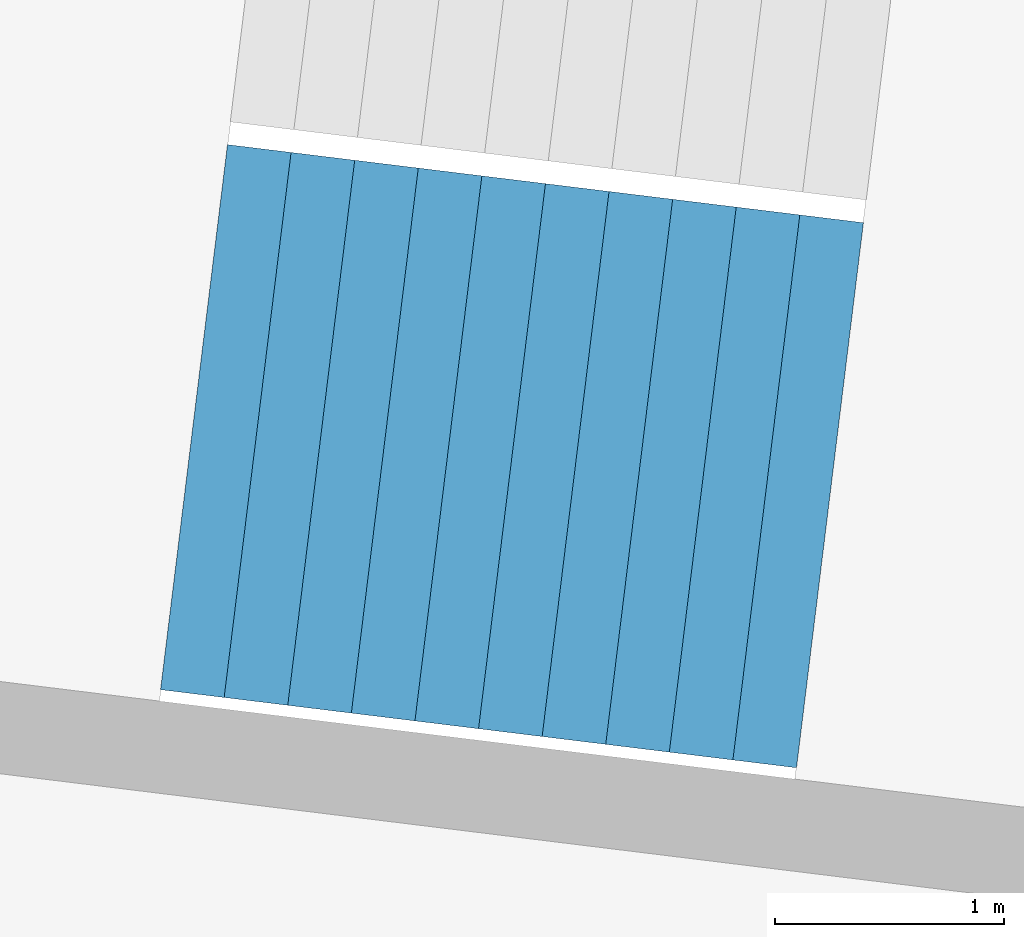
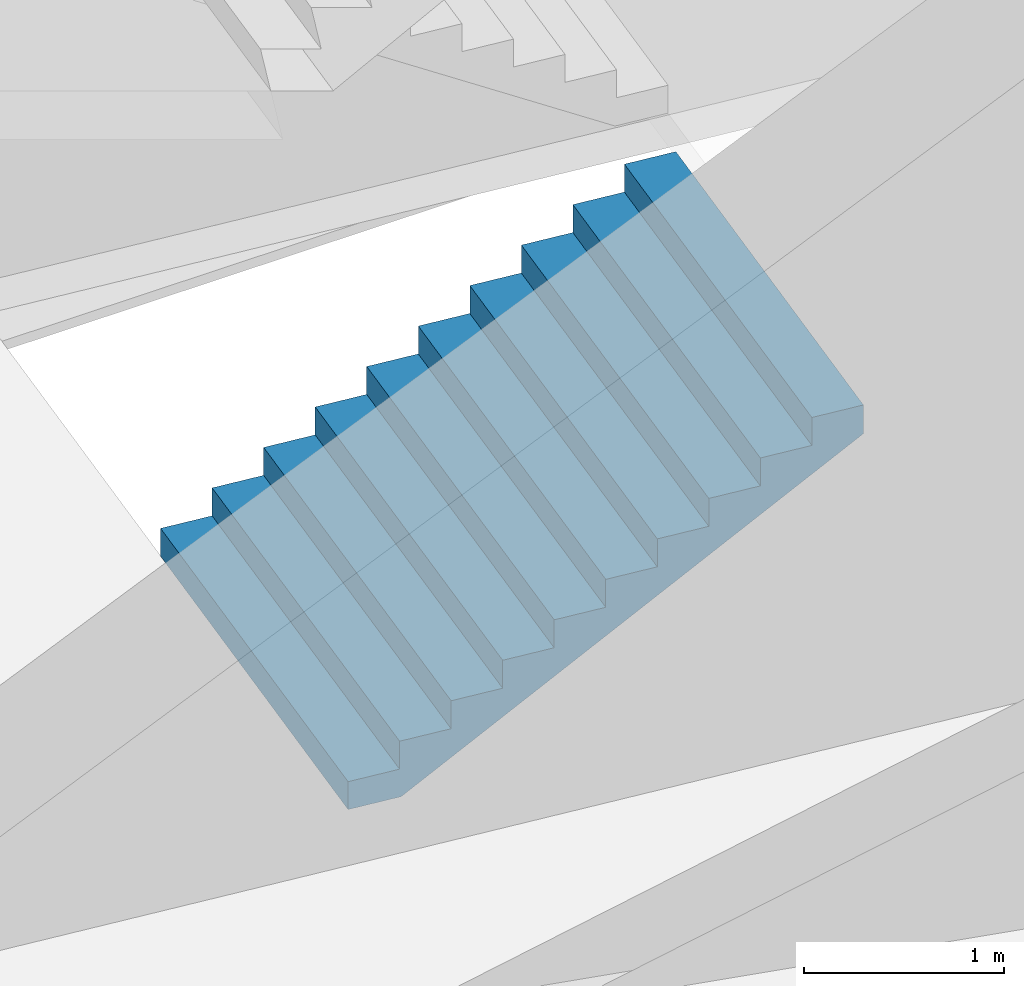
# One storey, part 53 of 73: 1 stair flight, 1 element without a shape of its own.
"""IFC4 building model written with IfcOpenShell, lengths in metres."""

import ifcopenshell
import ifcopenshell.guid

model = None  # the IFC model being written
_history = None  # IfcOwnerHistory: only IFC2X3 demands one
_inside = {}  # id of a spatial element -> (the spatial element, [elements in it])
_under = {}  # id of a project, library or spatial element -> (it, [spatial elements below it])
_declared = {}  # id of a project -> (the project, [libraries it declares])
_typed = {}  # id of a type object -> (the type object, [elements of that type])
_made_of = {}  # id of a material, layer set ... -> (it, [elements and type objects made of it])


def new_model(schema):
    """Start an empty IFC model of exactly this schema.

    Asked for "IFC4X3", IfcOpenShell would pick the latest addendum, in which some entities
    have other attributes; the version numbers below select the first issue.
    IFC2X3 requires an IfcOwnerHistory on every rooted entity: one is made here for all.
    """
    global model, _history
    if schema == "IFC4X3":
        model = ifcopenshell.file(schema_version=(4, 3, 0, 0))
    else:
        model = ifcopenshell.file(schema=schema)
    _inside.clear()
    _under.clear()
    _declared.clear()
    _typed.clear()
    _made_of.clear()
    _history = None
    if model.schema == "IFC2X3":
        org = make("IfcOrganization", Name="unknown")
        user = make(
            "IfcPersonAndOrganization",
            ThePerson=make("IfcPerson", FamilyName="unknown"),
            TheOrganization=org,
        )
        app = make(
            "IfcApplication",
            ApplicationDeveloper=org,
            Version="unknown",
            ApplicationFullName="unknown",
            ApplicationIdentifier="unknown",
        )
        _history = make(
            "IfcOwnerHistory",
            OwningUser=user,
            OwningApplication=app,
            ChangeAction="ADDED",
            CreationDate=0,
        )
    return model


def make(cls, **values):
    """One entity of the class cls with the attributes given. An attribute that is None is left unset."""
    return model.create_entity(
        cls, **{name: value for name, value in values.items() if value is not None}
    )


def rooted(cls, **values):
    """An entity with a GlobalId (a new one), such as an element, a storey or a relation."""
    return make(cls, GlobalId=ifcopenshell.guid.new(), OwnerHistory=_history, **values)


def si_unit(unit_type, name, prefix=None):
    """IfcSIUnit, for example si_unit("LENGTHUNIT", "METRE", prefix="MILLI")."""
    return make("IfcSIUnit", UnitType=unit_type, Prefix=prefix, Name=name)


def assignment(units):
    """IfcUnitAssignment: the units of a project."""
    return None if units is None else make("IfcUnitAssignment", Units=units)


def point(xyz):
    """IfcCartesianPoint."""
    return None if xyz is None else make("IfcCartesianPoint", Coordinates=xyz)


def direction(xyz):
    """IfcDirection."""
    return None if xyz is None else make("IfcDirection", DirectionRatios=xyz)


def frame(location, z_axis=None, x_axis=None):
    """IfcAxis2Placement3D, a coordinate frame: its origin and axes. An axis left out is left unset."""
    return make(
        "IfcAxis2Placement3D",
        Location=point(location),
        Axis=direction(z_axis),
        RefDirection=direction(x_axis),
    )


def origin():
    """The frame at (0, 0, 0) with its axes left unset."""
    return frame((0.0, 0.0, 0.0))


def place(relative_to, where):
    """IfcLocalPlacement: puts the frame where relative to a parent placement (None: the world)."""
    return make(
        "IfcLocalPlacement", PlacementRelTo=relative_to, RelativePlacement=where
    )


def context(
    kind, dimensions, precision=None, world=None, true_north=None, identifier=None
):
    """IfcGeometricRepresentationContext, for example the 3D "Model" context."""
    return make(
        "IfcGeometricRepresentationContext",
        ContextIdentifier=identifier,
        ContextType=kind,
        CoordinateSpaceDimension=dimensions,
        Precision=precision,
        WorldCoordinateSystem=world,
        TrueNorth=true_north,
    )


def subcontext(parent, identifier, kind, view, scale=None):
    """IfcGeometricRepresentationSubContext, for example "Body" below "Model"."""
    return make(
        "IfcGeometricRepresentationSubContext",
        ContextIdentifier=identifier,
        ContextType=kind,
        ParentContext=parent,
        TargetScale=scale,
        TargetView=view,
    )


def project(units=None, contexts=None):
    """IfcProject with its units and contexts."""
    return rooted(
        "IfcProject",
        Name="project",
        RepresentationContexts=contexts,
        UnitsInContext=assignment(units),
    )


def spatial(cls, under=None, at=None, **own):
    """A site, building, storey or space (cls), placed at a placement, below another one or the project."""
    s = rooted(cls, ObjectPlacement=at, **own)
    if under is not None:
        _under.setdefault(under.id(), (under, []))[1].append(s)
    return s


def point_list(points):
    """IfcCartesianPointList2D or 3D."""
    cls = (
        "IfcCartesianPointList2D" if len(points[0]) == 2 else "IfcCartesianPointList3D"
    )
    return make(cls, CoordList=points)


def triangles(points, corners, closed=None, point_numbers=None):
    """IfcTriangulatedFaceSet: each triangle names its three corners, points numbered from 1."""
    return make(
        "IfcTriangulatedFaceSet",
        Coordinates=point_list(points),
        Closed=closed,
        CoordIndex=corners,
        PnIndex=point_numbers,
    )


def shape(context_of_items, identifier, shape_type, items):
    """IfcShapeRepresentation: the items that make up one representation, for example the "Body"."""
    return make(
        "IfcShapeRepresentation",
        ContextOfItems=context_of_items,
        RepresentationIdentifier=identifier,
        RepresentationType=shape_type,
        Items=items,
    )


def material(Name=None, Category=None):
    """IfcMaterial."""
    return make("IfcMaterial", Name=Name, Category=Category)


def made_of(thing, what):
    """Note that an element or type object is made of a material, layer set ...; save() writes the relation."""
    if what is not None:
        _made_of.setdefault(what.id(), (what, []))[1].append(thing)
    return thing


def type_object(cls, material=None, **own):
    """A type object (cls), such as IfcWallType, which elements share."""
    return made_of(rooted(cls, **own), material)


def element(
    cls,
    number,
    at=None,
    inside=None,
    cuts=None,
    type_object=None,
    material=None,
    context=None,
    identifier="Body",
    shape_type=None,
    held_by="IfcProductDefinitionShape",
    body=None,
    shapes=None,
    **own,
):
    """One element of the class cls, such as IfcWall. Its Tag is "e" and its number.

    at: its placement. inside: the storey or other place that contains it. cuts: it is an
    opening in that element (IfcRelVoidsElement). A single representation is given by context,
    identifier, shape_type and body (its items); several are given by shapes. held_by: the class
    of the entity that holds the representations. save() writes the other relations.
    """
    e = rooted(cls, Tag="e%d" % number, ObjectPlacement=at, **own)
    if body is not None:
        shapes = [shape(context, identifier, shape_type, body)]
    if shapes is not None:
        e.Representation = make(held_by, Representations=shapes)
    if inside is not None:
        _inside.setdefault(inside.id(), (inside, []))[1].append(e)
    if cuts is not None:
        rooted(
            "IfcRelVoidsElement", RelatingBuildingElement=cuts, RelatedOpeningElement=e
        )
    if type_object is not None:
        _typed.setdefault(type_object.id(), (type_object, []))[1].append(e)
    return made_of(e, material)


def aggregate(whole, parts):
    """IfcRelAggregates: a whole, such as a stair, and the parts it consists of."""
    return rooted("IfcRelAggregates", RelatingObject=whole, RelatedObjects=parts)


def save(model, path):
    """Write the relations noted so far, then the file.

    IfcRelAggregates (storeys below a building ...), IfcRelContainedInSpatialStructure (elements
    in a storey), IfcRelDefinesByType, IfcRelAssociatesMaterial and IfcRelDeclares: one each for
    every whole, place, type object, material and project.
    """
    for whole, parts in _under.values():
        aggregate(whole, parts)
    for where, things in _inside.values():
        rooted(
            "IfcRelContainedInSpatialStructure",
            RelatedElements=things,
            RelatingStructure=where,
        )
    for kind, things in _typed.values():
        rooted("IfcRelDefinesByType", RelatedObjects=things, RelatingType=kind)
    for what, things in _made_of.values():
        rooted("IfcRelAssociatesMaterial", RelatedObjects=things, RelatingMaterial=what)
    for by, libraries in _declared.values():
        rooted("IfcRelDeclares", RelatingContext=by, RelatedDefinitions=libraries)
    model.write(path)


model = new_model("IFC4")

# Units and contexts
model_context = context("Model", 3, precision=1e-05, world=origin(), true_north=direction((0.0, 1.0)))
body_context = subcontext(model_context, "Body", "Model", "MODEL_VIEW")
ifc_project = project(units=[si_unit("LENGTHUNIT", "METRE"), si_unit("AREAUNIT", "SQUARE_METRE"), si_unit("VOLUMEUNIT", "CUBIC_METRE"), si_unit("PLANEANGLEUNIT", "RADIAN"), si_unit("MASSUNIT", "GRAM", prefix="KILO")], contexts=[model_context])

# Site, building, storey
site_placement = place(None, origin())
site = spatial("IfcSite", under=ifc_project, at=site_placement, CompositionType="ELEMENT")
building_placement = place(site_placement, origin())
building = spatial("IfcBuilding", under=site, at=building_placement, Name="Lantaw Convention Tower", CompositionType="ELEMENT")
storey_placement = place(building_placement, frame((0.0, 0.0, 14.5)))
storey = spatial("IfcBuildingStorey", under=building, at=storey_placement, Name="L02", CompositionType="ELEMENT", Elevation=14.5)

# Stair, stair flight
ifc_material = material(Name="Concrete C35/45", Category="concrete")
stair_type = type_object("IfcStairType", Name="Exit stair 2400 riser 170.45 in 4 flights", PredefinedType="HALF_TURN_STAIR", material=ifc_material)
stair_placement = place(storey_placement, origin())
stair = element("IfcStair", 1, at=stair_placement, inside=storey, type_object=stair_type, Name="Podium exit stair P13 L02", PredefinedType="HALF_TURN_STAIR")
stair_flight_type = type_object("IfcStairFlightType", Name="Stair flight 2400 riser 170.45", PredefinedType="STRAIGHT", material=ifc_material)
stair_flight_placement = place(storey_placement, frame((34.857421875, -5.539306640625, 0.0), z_axis=(0.0, 0.0, 1.0), x_axis=(0.992546151641, -0.121869343405, 0.0)))
stair_flight = element("IfcStairFlight", 2, at=stair_flight_placement, type_object=stair_flight_type, Name="P13 flight 1", NumberOfRisers=11, NumberOfTreads=10, PredefinedType="STRAIGHT", RiserHeight=0.170454545, TreadLength=0.28, context=body_context, shape_type="Tessellation", body=[
    triangles([(0.0, 1.199951171875, 0.0), (0.0, 1.199951171875, 0.170454545), (0.28, 1.199951171875, 0.0), (0.28, 1.199951171875, 0.170454545), (0.28, 1.199951171875, 0.34090909), (0.28827876332691904, 1.199951171875, 0.0), (0.28827876332691904, 1.199951171875, 0.34090909), (0.56, 1.199951171875, 0.16541471344266906), (0.56, 1.199951171875, 0.34090909), (0.56, 1.199951171875, 0.511363635), (0.8400000000000001, 1.199951171875, 0.335869258442669), (0.8400000000000001, 1.199951171875, 0.511363635), (0.8400000000000001, 1.199951171875, 0.68181818), (1.12, 1.199951171875, 0.506323803442669), (1.12, 1.199951171875, 0.68181818), (1.12, 1.199951171875, 0.8522727250000001), (1.4000000000000001, 1.199951171875, 0.676778348442669), (1.4000000000000001, 1.199951171875, 0.8522727250000001), (1.4000000000000001, 1.199951171875, 1.02272727), (1.6800000000000002, 1.199951171875, 0.847232893442669), (1.6800000000000002, 1.199951171875, 1.02272727), (1.6800000000000002, 1.199951171875, 1.193181815), (1.9600000000000002, 1.199951171875, 1.017687438442669), (1.9600000000000002, 1.199951171875, 1.193181815), (1.9600000000000002, 1.199951171875, 1.36363636), (2.24, 1.199951171875, 1.188141983442669), (2.24, 1.199951171875, 1.36363636), (2.24, 1.199951171875, 1.5340909050000002), (2.5200000000000005, 1.199951171875, 1.358596528442669), (2.5200000000000005, 1.199951171875, 1.5340909050000002), (2.5200000000000005, 1.199951171875, 1.7045454500000001), (2.8000000000000003, 1.199951171875, 1.529051073442669), (2.8000000000000003, 1.199951171875, 1.7045454500000001), (0.0, -1.199951171875, 0.0), (0.0, -1.199951171875, 0.170454545), (0.28, -1.199951171875, 0.0), (0.28, -1.199951171875, 0.170454545), (0.28, -1.199951171875, 0.34090909), (0.28827876332691904, -1.199951171875, 0.0), (0.28827876332691904, -1.199951171875, 0.34090909), (0.56, -1.199951171875, 0.16541471344266906), (0.56, -1.199951171875, 0.34090909), (0.56, -1.199951171875, 0.511363635), (0.8400000000000001, -1.199951171875, 0.335869258442669), (0.8400000000000001, -1.199951171875, 0.511363635), (0.8400000000000001, -1.199951171875, 0.68181818), (1.12, -1.199951171875, 0.506323803442669), (1.12, -1.199951171875, 0.68181818), (1.12, -1.199951171875, 0.8522727250000001), (1.4000000000000001, -1.199951171875, 0.676778348442669), (1.4000000000000001, -1.199951171875, 0.8522727250000001), (1.4000000000000001, -1.199951171875, 1.02272727), (1.6800000000000002, -1.199951171875, 0.847232893442669), (1.6800000000000002, -1.199951171875, 1.02272727), (1.6800000000000002, -1.199951171875, 1.193181815), (1.9600000000000002, -1.199951171875, 1.017687438442669), (1.9600000000000002, -1.199951171875, 1.193181815), (1.9600000000000002, -1.199951171875, 1.36363636), (2.24, -1.199951171875, 1.188141983442669), (2.24, -1.199951171875, 1.36363636), (2.24, -1.199951171875, 1.5340909050000002), (2.5200000000000005, -1.199951171875, 1.358596528442669), (2.5200000000000005, -1.199951171875, 1.5340909050000002), (2.5200000000000005, -1.199951171875, 1.7045454500000001), (2.8000000000000003, -1.199951171875, 1.529051073442669), (2.8000000000000003, -1.199951171875, 1.7045454500000001), (0.0, 0.239990234375, 0.170454545), (0.0, 0.239990234375, 0.0), (0.0, 0.1199951171875, 0.170454545), (0.0, 0.1199951171875, 0.0), (0.0, 0.0, 0.170454545), (0.0, 0.0, 0.0), (0.0, -0.1199951171875, 0.170454545), (0.0, -0.1199951171875, 0.0), (0.0, -0.239990234375, 0.170454545), (0.0, -0.239990234375, 0.0), (0.28, 0.239990234375, 0.34090909), (0.28, 0.239990234375, 0.170454545), (0.28, 0.1199951171875, 0.34090909), (0.28, 0.1199951171875, 0.170454545), (0.28, 0.0, 0.34090909), (0.28, 0.0, 0.170454545), (0.28, -0.1199951171875, 0.34090909), (0.28, -0.1199951171875, 0.170454545), (0.28, -0.239990234375, 0.34090909), (0.28, -0.239990234375, 0.170454545), (0.56, 0.239990234375, 0.511363635), (0.56, 0.239990234375, 0.34090909), (0.56, 0.1199951171875, 0.511363635), (0.56, 0.1199951171875, 0.34090909), (0.56, 0.0, 0.511363635), (0.56, 0.0, 0.34090909), (0.56, -0.1199951171875, 0.511363635), (0.56, -0.1199951171875, 0.34090909), (0.56, -0.239990234375, 0.511363635), (0.56, -0.239990234375, 0.34090909), (0.8400000000000001, 0.239990234375, 0.68181818), (0.8400000000000001, 0.239990234375, 0.511363635), (0.8400000000000001, 0.1199951171875, 0.68181818), (0.8400000000000001, 0.1199951171875, 0.511363635), (0.8400000000000001, 0.0, 0.68181818), (0.8400000000000001, 0.0, 0.511363635), (0.8400000000000001, -0.1199951171875, 0.68181818), (0.8400000000000001, -0.1199951171875, 0.511363635), (0.8400000000000001, -0.239990234375, 0.68181818), (0.8400000000000001, -0.239990234375, 0.511363635), (1.12, 0.239990234375, 0.8522727250000001), (1.12, 0.239990234375, 0.68181818), (1.12, 0.1199951171875, 0.8522727250000001), (1.12, 0.1199951171875, 0.68181818), (1.12, 0.0, 0.8522727250000001), (1.12, 0.0, 0.68181818), (1.12, -0.1199951171875, 0.8522727250000001), (1.12, -0.1199951171875, 0.68181818), (1.12, -0.239990234375, 0.8522727250000001), (1.12, -0.239990234375, 0.68181818), (1.4000000000000001, 0.239990234375, 1.02272727), (1.4000000000000001, 0.239990234375, 0.8522727250000001), (1.4000000000000001, 0.1199951171875, 1.02272727), (1.4000000000000001, 0.1199951171875, 0.8522727250000001), (1.4000000000000001, 0.0, 1.02272727), (1.4000000000000001, 0.0, 0.8522727250000001), (1.4000000000000001, -0.1199951171875, 1.02272727), (1.4000000000000001, -0.1199951171875, 0.8522727250000001), (1.4000000000000001, -0.239990234375, 1.02272727), (1.4000000000000001, -0.239990234375, 0.8522727250000001), (1.6800000000000002, 0.239990234375, 1.193181815), (1.6800000000000002, 0.239990234375, 1.02272727), (1.6800000000000002, 0.1199951171875, 1.193181815), (1.6800000000000002, 0.1199951171875, 1.02272727), (1.6800000000000002, 0.0, 1.193181815), (1.6800000000000002, 0.0, 1.02272727), (1.6800000000000002, -0.1199951171875, 1.193181815), (1.6800000000000002, -0.1199951171875, 1.02272727), (1.6800000000000002, -0.239990234375, 1.193181815), (1.6800000000000002, -0.239990234375, 1.02272727), (1.9600000000000002, 0.239990234375, 1.36363636), (1.9600000000000002, 0.239990234375, 1.193181815), (1.9600000000000002, 0.1199951171875, 1.36363636), (1.9600000000000002, 0.1199951171875, 1.193181815), (1.9600000000000002, 0.0, 1.36363636), (1.9600000000000002, 0.0, 1.193181815), (1.9600000000000002, -0.1199951171875, 1.36363636), (1.9600000000000002, -0.1199951171875, 1.193181815), (1.9600000000000002, -0.239990234375, 1.36363636), (1.9600000000000002, -0.239990234375, 1.193181815), (2.24, 0.239990234375, 1.5340909050000002), (2.24, 0.239990234375, 1.36363636), (2.24, 0.1199951171875, 1.5340909050000002), (2.24, 0.1199951171875, 1.36363636), (2.24, 0.0, 1.5340909050000002), (2.24, 0.0, 1.36363636), (2.24, -0.1199951171875, 1.5340909050000002), (2.24, -0.1199951171875, 1.36363636), (2.24, -0.239990234375, 1.5340909050000002), (2.24, -0.239990234375, 1.36363636), (2.5200000000000005, 0.239990234375, 1.7045454500000001), (2.5200000000000005, 0.239990234375, 1.5340909050000002), (2.5200000000000005, 0.1199951171875, 1.7045454500000001), (2.5200000000000005, 0.1199951171875, 1.5340909050000002), (2.5200000000000005, 0.0, 1.7045454500000001), (2.5200000000000005, 0.0, 1.5340909050000002), (2.5200000000000005, -0.1199951171875, 1.7045454500000001), (2.5200000000000005, -0.1199951171875, 1.5340909050000002), (2.5200000000000005, -0.239990234375, 1.7045454500000001), (2.5200000000000005, -0.239990234375, 1.5340909050000002), (0.28827876332691904, 0.239990234375, 0.34090909), (0.28827876332691904, 0.1199951171875, 0.34090909), (0.28827876332691904, 0.0, 0.34090909), (0.28827876332691904, -0.1199951171875, 0.34090909), (0.28827876332691904, -0.239990234375, 0.34090909), (2.8000000000000003, 0.239990234375, 1.7045454500000001), (2.8000000000000003, 0.1199951171875, 1.7045454500000001), (2.8000000000000003, 0.0, 1.7045454500000001), (2.8000000000000003, -0.1199951171875, 1.7045454500000001), (2.8000000000000003, -0.239990234375, 1.7045454500000001), (2.8000000000000003, 0.239990234375, 1.5290510734426692), (2.8000000000000003, 0.1199951171875, 1.5290510734426692), (2.8000000000000003, 0.0, 1.5290510734426692), (2.8000000000000003, -0.1199951171875, 1.5290510734426692), (2.8000000000000003, -0.239990234375, 1.5290510734426692), (2.5200000000000005, 0.239990234375, 1.358596528442669), (2.5200000000000005, 0.1199951171875, 1.358596528442669), (2.5200000000000005, 0.0, 1.358596528442669), (2.5200000000000005, -0.1199951171875, 1.358596528442669), (2.5200000000000005, -0.239990234375, 1.358596528442669), (2.24, 0.239990234375, 1.188141983442669), (2.24, 0.1199951171875, 1.188141983442669), (2.24, 0.0, 1.188141983442669), (2.24, -0.1199951171875, 1.188141983442669), (2.24, -0.239990234375, 1.188141983442669), (1.9600000000000002, 0.239990234375, 1.017687438442669), (1.9600000000000002, 0.1199951171875, 1.017687438442669), (1.9600000000000002, 0.0, 1.017687438442669), (1.9600000000000002, -0.1199951171875, 1.017687438442669), (1.9600000000000002, -0.239990234375, 1.017687438442669), (1.6800000000000002, 0.239990234375, 0.847232893442669), (1.6800000000000002, 0.1199951171875, 0.847232893442669), (1.6800000000000002, 0.0, 0.847232893442669), (1.6800000000000002, -0.1199951171875, 0.847232893442669), (1.6800000000000002, -0.239990234375, 0.847232893442669), (1.4000000000000001, 0.239990234375, 0.676778348442669), (1.4000000000000001, 0.1199951171875, 0.676778348442669), (1.4000000000000001, 0.0, 0.676778348442669), (1.4000000000000001, -0.1199951171875, 0.676778348442669), (1.4000000000000001, -0.239990234375, 0.676778348442669), (1.12, 0.239990234375, 0.506323803442669), (1.12, 0.1199951171875, 0.506323803442669), (1.12, 0.0, 0.506323803442669), (1.12, -0.1199951171875, 0.506323803442669), (1.12, -0.239990234375, 0.506323803442669), (0.8400000000000001, 0.239990234375, 0.335869258442669), (0.8400000000000001, 0.1199951171875, 0.335869258442669), (0.8400000000000001, 0.0, 0.335869258442669), (0.8400000000000001, -0.1199951171875, 0.335869258442669), (0.8400000000000001, -0.239990234375, 0.335869258442669), (0.56, 0.239990234375, 0.16541471344266906), (0.56, 0.1199951171875, 0.16541471344266906), (0.56, 0.0, 0.16541471344266906), (0.56, -0.1199951171875, 0.16541471344266906), (0.56, -0.239990234375, 0.16541471344266906), (0.28827876332691904, 0.239990234375, 0.0), (0.28827876332691904, 0.1199951171875, 0.0), (0.28827876332691904, 0.0, 0.0), (0.28827876332691904, -0.1199951171875, 0.0), (0.28827876332691904, -0.239990234375, 0.0), (0.28, 0.239990234375, 0.0), (0.28, 0.1199951171875, 0.0), (0.28, 0.0, 0.0), (0.28, -0.1199951171875, 0.0), (0.28, -0.239990234375, 0.0)], [[1, 4, 3], [1, 2, 4], [3, 4, 6], [4, 7, 6], [4, 5, 7], [6, 9, 8], [6, 7, 9], [8, 9, 11], [9, 12, 11], [9, 10, 12], [11, 12, 14], [12, 15, 14], [12, 13, 15], [14, 15, 17], [15, 18, 17], [15, 16, 18], [17, 18, 20], [18, 21, 20], [18, 19, 21], [20, 21, 23], [21, 24, 23], [21, 22, 24], [23, 24, 26], [24, 27, 26], [24, 25, 27], [26, 27, 29], [27, 30, 29], [27, 28, 30], [29, 30, 32], [30, 33, 32], [30, 31, 33], [34, 36, 37], [34, 37, 35], [36, 39, 37], [37, 39, 40], [37, 40, 38], [39, 41, 42], [39, 42, 40], [41, 44, 42], [42, 44, 45], [42, 45, 43], [44, 47, 45], [45, 47, 48], [45, 48, 46], [47, 50, 48], [48, 50, 51], [48, 51, 49], [50, 53, 51], [51, 53, 54], [51, 54, 52], [53, 56, 54], [54, 56, 57], [54, 57, 55], [56, 59, 57], [57, 59, 60], [57, 60, 58], [59, 62, 60], [60, 62, 63], [60, 63, 61], [62, 65, 63], [63, 65, 66], [63, 66, 64], [1, 67, 2], [1, 68, 67], [68, 69, 67], [68, 70, 69], [70, 71, 69], [70, 72, 71], [72, 73, 71], [72, 74, 73], [74, 75, 73], [74, 76, 75], [76, 35, 75], [76, 34, 35], [4, 77, 5], [4, 78, 77], [78, 79, 77], [78, 80, 79], [80, 81, 79], [80, 82, 81], [82, 83, 81], [82, 84, 83], [84, 85, 83], [84, 86, 85], [86, 38, 85], [86, 37, 38], [9, 87, 10], [9, 88, 87], [88, 89, 87], [88, 90, 89], [90, 91, 89], [90, 92, 91], [92, 93, 91], [92, 94, 93], [94, 95, 93], [94, 96, 95], [96, 43, 95], [96, 42, 43], [12, 97, 13], [12, 98, 97], [98, 99, 97], [98, 100, 99], [100, 101, 99], [100, 102, 101], [102, 103, 101], [102, 104, 103], [104, 105, 103], [104, 106, 105], [106, 46, 105], [106, 45, 46], [15, 107, 16], [15, 108, 107], [108, 109, 107], [108, 110, 109], [110, 111, 109], [110, 112, 111], [112, 113, 111], [112, 114, 113], [114, 115, 113], [114, 116, 115], [116, 49, 115], [116, 48, 49], [18, 117, 19], [18, 118, 117], [118, 119, 117], [118, 120, 119], [120, 121, 119], [120, 122, 121], [122, 123, 121], [122, 124, 123], [124, 125, 123], [124, 126, 125], [126, 52, 125], [126, 51, 52], [21, 127, 22], [21, 128, 127], [128, 129, 127], [128, 130, 129], [130, 131, 129], [130, 132, 131], [132, 133, 131], [132, 134, 133], [134, 135, 133], [134, 136, 135], [136, 55, 135], [136, 54, 55], [24, 137, 25], [24, 138, 137], [138, 139, 137], [138, 140, 139], [140, 141, 139], [140, 142, 141], [142, 143, 141], [142, 144, 143], [144, 145, 143], [144, 146, 145], [146, 58, 145], [146, 57, 58], [27, 147, 28], [27, 148, 147], [148, 149, 147], [148, 150, 149], [150, 151, 149], [150, 152, 151], [152, 153, 151], [152, 154, 153], [154, 155, 153], [154, 156, 155], [156, 61, 155], [156, 60, 61], [30, 157, 31], [30, 158, 157], [158, 159, 157], [158, 160, 159], [160, 161, 159], [160, 162, 161], [162, 163, 161], [162, 164, 163], [164, 165, 163], [164, 166, 165], [166, 64, 165], [166, 63, 64], [2, 78, 4], [2, 67, 78], [67, 80, 78], [67, 69, 80], [69, 82, 80], [69, 71, 82], [71, 84, 82], [71, 73, 84], [73, 86, 84], [73, 75, 86], [75, 37, 86], [75, 35, 37], [5, 167, 7], [5, 77, 167], [77, 168, 167], [77, 79, 168], [79, 169, 168], [79, 81, 169], [81, 170, 169], [81, 83, 170], [83, 171, 170], [83, 85, 171], [85, 40, 171], [85, 38, 40], [7, 88, 9], [7, 167, 88], [167, 90, 88], [167, 168, 90], [168, 92, 90], [168, 169, 92], [169, 94, 92], [169, 170, 94], [170, 96, 94], [170, 171, 96], [171, 42, 96], [171, 40, 42], [10, 98, 12], [10, 87, 98], [87, 100, 98], [87, 89, 100], [89, 102, 100], [89, 91, 102], [91, 104, 102], [91, 93, 104], [93, 106, 104], [93, 95, 106], [95, 45, 106], [95, 43, 45], [13, 108, 15], [13, 97, 108], [97, 110, 108], [97, 99, 110], [99, 112, 110], [99, 101, 112], [101, 114, 112], [101, 103, 114], [103, 116, 114], [103, 105, 116], [105, 48, 116], [105, 46, 48], [16, 118, 18], [16, 107, 118], [107, 120, 118], [107, 109, 120], [109, 122, 120], [109, 111, 122], [111, 124, 122], [111, 113, 124], [113, 126, 124], [113, 115, 126], [115, 51, 126], [115, 49, 51], [19, 128, 21], [19, 117, 128], [117, 130, 128], [117, 119, 130], [119, 132, 130], [119, 121, 132], [121, 134, 132], [121, 123, 134], [123, 136, 134], [123, 125, 136], [125, 54, 136], [125, 52, 54], [22, 138, 24], [22, 127, 138], [127, 140, 138], [127, 129, 140], [129, 142, 140], [129, 131, 142], [131, 144, 142], [131, 133, 144], [133, 146, 144], [133, 135, 146], [135, 57, 146], [135, 55, 57], [25, 148, 27], [25, 137, 148], [137, 150, 148], [137, 139, 150], [139, 152, 150], [139, 141, 152], [141, 154, 152], [141, 143, 154], [143, 156, 154], [143, 145, 156], [145, 60, 156], [145, 58, 60], [28, 158, 30], [28, 147, 158], [147, 160, 158], [147, 149, 160], [149, 162, 160], [149, 151, 162], [151, 164, 162], [151, 153, 164], [153, 166, 164], [153, 155, 166], [155, 63, 166], [155, 61, 63], [31, 172, 33], [31, 157, 172], [157, 173, 172], [157, 159, 173], [159, 174, 173], [159, 161, 174], [161, 175, 174], [161, 163, 175], [163, 176, 175], [163, 165, 176], [165, 66, 176], [165, 64, 66], [33, 177, 32], [33, 172, 177], [172, 178, 177], [172, 173, 178], [173, 179, 178], [173, 174, 179], [174, 180, 179], [174, 175, 180], [175, 181, 180], [175, 176, 181], [176, 65, 181], [176, 66, 65], [32, 182, 29], [32, 177, 182], [177, 183, 182], [177, 178, 183], [178, 184, 183], [178, 179, 184], [179, 185, 184], [179, 180, 185], [180, 186, 185], [180, 181, 186], [181, 62, 186], [181, 65, 62], [29, 187, 26], [29, 182, 187], [182, 188, 187], [182, 183, 188], [183, 189, 188], [183, 184, 189], [184, 190, 189], [184, 185, 190], [185, 191, 190], [185, 186, 191], [186, 59, 191], [186, 62, 59], [26, 192, 23], [26, 187, 192], [187, 193, 192], [187, 188, 193], [188, 194, 193], [188, 189, 194], [189, 195, 194], [189, 190, 195], [190, 196, 195], [190, 191, 196], [191, 56, 196], [191, 59, 56], [23, 197, 20], [23, 192, 197], [192, 198, 197], [192, 193, 198], [193, 199, 198], [193, 194, 199], [194, 200, 199], [194, 195, 200], [195, 201, 200], [195, 196, 201], [196, 53, 201], [196, 56, 53], [20, 202, 17], [20, 197, 202], [197, 203, 202], [197, 198, 203], [198, 204, 203], [198, 199, 204], [199, 205, 204], [199, 200, 205], [200, 206, 205], [200, 201, 206], [201, 50, 206], [201, 53, 50], [17, 207, 14], [17, 202, 207], [202, 208, 207], [202, 203, 208], [203, 209, 208], [203, 204, 209], [204, 210, 209], [204, 205, 210], [205, 211, 210], [205, 206, 211], [206, 47, 211], [206, 50, 47], [14, 212, 11], [14, 207, 212], [207, 213, 212], [207, 208, 213], [208, 214, 213], [208, 209, 214], [209, 215, 214], [209, 210, 215], [210, 216, 215], [210, 211, 216], [211, 44, 216], [211, 47, 44], [11, 217, 8], [11, 212, 217], [212, 218, 217], [212, 213, 218], [213, 219, 218], [213, 214, 219], [214, 220, 219], [214, 215, 220], [215, 221, 220], [215, 216, 221], [216, 41, 221], [216, 44, 41], [8, 222, 6], [8, 217, 222], [217, 223, 222], [217, 218, 223], [218, 224, 223], [218, 219, 224], [219, 225, 224], [219, 220, 225], [220, 226, 225], [220, 221, 226], [221, 39, 226], [221, 41, 39], [6, 227, 3], [6, 222, 227], [222, 228, 227], [222, 223, 228], [223, 229, 228], [223, 224, 229], [224, 230, 229], [224, 225, 230], [225, 231, 230], [225, 226, 231], [226, 36, 231], [226, 39, 36], [3, 68, 1], [3, 227, 68], [227, 70, 68], [227, 228, 70], [228, 72, 70], [228, 229, 72], [229, 74, 72], [229, 230, 74], [230, 76, 74], [230, 231, 76], [231, 34, 76], [231, 36, 34]], closed=True),
])
aggregate(stair, [stair_flight])

save(model, "model.ifc")
